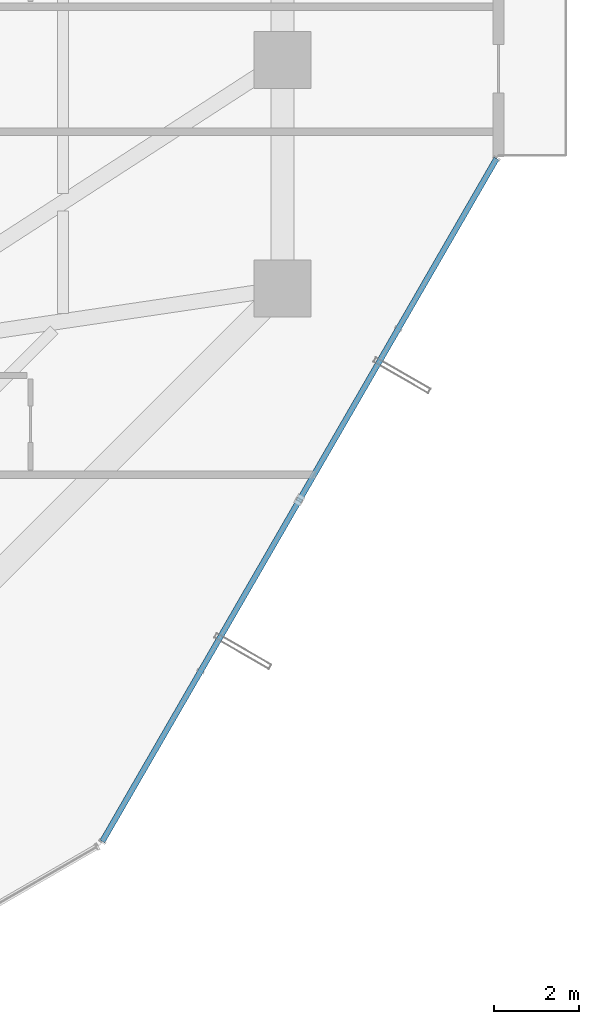
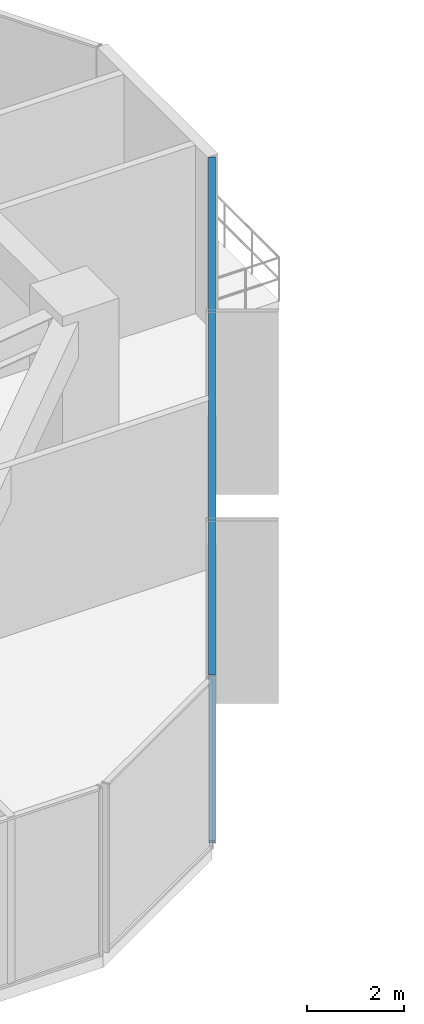
# One storey, part 17 of 39: 2 members, 1 element without a shape of its own.
"""IFC4 building model written with IfcOpenShell, lengths in metres."""

from ifc_helpers import new_model, si_unit, direction, frame, origin, origin_2d, place, context, subcontext, project, spatial, hollow_rectangle, extrude, source, transform, mapped, material, layer, layer_set, material_profile, profile_set, type_object, element, aggregate, save


model = new_model("IFC4")

# Units and contexts
model_context = context("Model", 3, precision=1e-05, world=origin(), true_north=direction((0.0, 1.0)))
body_context = subcontext(model_context, "Body", "Model", "MODEL_VIEW")
ifc_project = project(units=[si_unit("LENGTHUNIT", "METRE"), si_unit("AREAUNIT", "SQUARE_METRE"), si_unit("VOLUMEUNIT", "CUBIC_METRE"), si_unit("PLANEANGLEUNIT", "RADIAN"), si_unit("MASSUNIT", "GRAM", prefix="KILO")], contexts=[model_context])

# Site, building, storey
site_placement = place(None, origin())
site = spatial("IfcSite", under=ifc_project, at=site_placement, CompositionType="ELEMENT")
building_placement = place(site_placement, origin())
building = spatial("IfcBuilding", under=site, at=building_placement, Name="Veraguas Prism Commons", CompositionType="ELEMENT")
storey_placement = place(building_placement, frame((0.0, 0.0, 22.800048828125)))
storey = spatial("IfcBuildingStorey", under=building, at=storey_placement, Name="L05", CompositionType="ELEMENT", Elevation=22.800048828125)

# Curtain wall, members
ifc_material = material(Name="Anodised aluminium EN AW-6063 T6", Category="aluminium")
ifc_layer = layer(ifc_material, 0.169921875, Name="Unitised Flush Curtain Wall Zone 1", Category="aluminium")
ifc_layer_set = layer_set([ifc_layer], Name="Anodised aluminium EN AW-6063 T6")
curtain_wall_type = type_object("IfcCurtainWallType", Name="Unitised Flush Curtain Wall Zone 1", PredefinedType="NOTDEFINED", material=ifc_layer_set)
curtain_wall_placement = place(storey_placement, origin())
curtain_wall = element("IfcCurtainWall", 1, at=curtain_wall_placement, inside=storey, type_object=curtain_wall_type, Name="Tower Facade Curtain Wall L05-F6", PredefinedType="NOTDEFINED")
ifc_material_profile = material_profile(ifc_material, hollow_rectangle(XDim=0.054931640625, YDim=0.135009765625, WallThickness=0.0029296875, at=origin_2d()), Name="AL55X135X3")
ifc_profile_set = profile_set([ifc_material_profile], Name="Anodised aluminium EN AW-6063 T6")
member_type = type_object("IfcMemberType", Name="Curtain Wall Transom Standard AL 55x135x3", PredefinedType="USERDEFINED", material=ifc_profile_set)
shared_shape = source(origin(), body_context, "Body", "SweptSolid", [
    extrude(hollow_rectangle(XDim=0.054931640625, YDim=0.135009765625, WallThickness=0.0029296875, at=origin_2d()), origin(), (0.0, 0.0, 1.0), 18.623779296875),
])
member_1_placement = place(storey_placement, frame((37.343994140625, 5.54345703125, 0.02734375), z_axis=(0.500005006005, 0.866022513547, 0.0), x_axis=(0.0, 0.0, 1.0)))
member_1 = element("IfcMember", 2, at=member_1_placement, type_object=member_type, Name="CW-Z1 Transom 1", ObjectType="TRANSOM", PredefinedType="USERDEFINED", context=body_context, shape_type="MappedRepresentation", body=[
    mapped(shared_shape, transform((0.0, 0.0, 0.0), scale=1.0)),
])
member_2_placement = place(storey_placement, frame((37.343994140625, 5.54345703125, 4.222412109375), z_axis=(0.500005006005, 0.866022513547, 0.0), x_axis=(0.0, 0.0, 1.0)))
member_2 = element("IfcMember", 3, at=member_2_placement, type_object=member_type, Name="CW-Z1 Transom 2", ObjectType="TRANSOM", PredefinedType="USERDEFINED", context=body_context, shape_type="MappedRepresentation", body=[
    mapped(shared_shape, transform((0.0, 0.0, 0.0), scale=1.0)),
])
aggregate(curtain_wall, [member_1, member_2])

save(model, "model.ifc")
